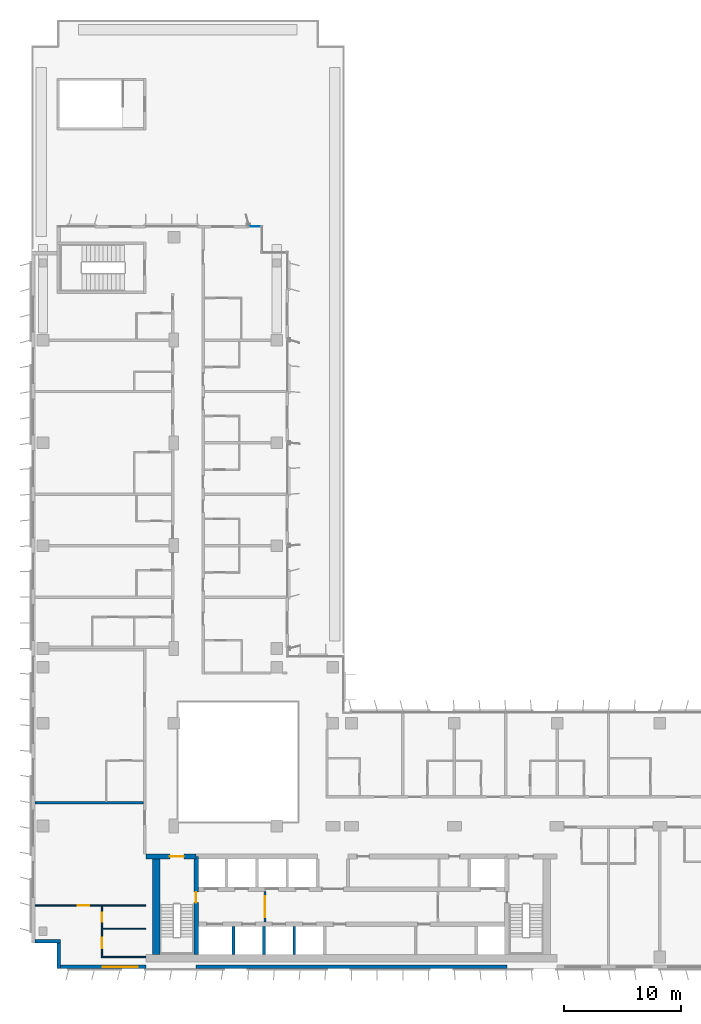
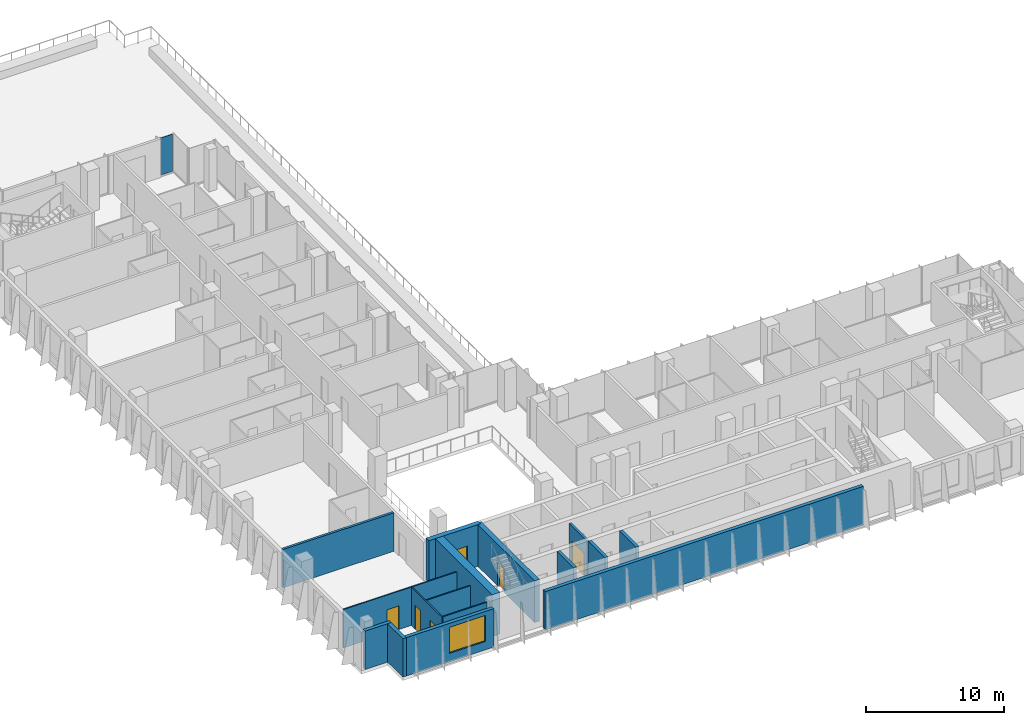
# One storey, part 11 of 22: 16 walls, 6 doors, 1 plate, 1 window, 7 openings, 1 element without a shape of its own.
"""IFC4 building model written with IfcOpenShell, lengths in metres."""

from ifc_helpers import new_model, si_unit, direction, frame, frame_2d, origin, origin_2d, place, context, subcontext, project, spatial, rectangle, extrude, source, transform, mapped, material, layer, layer_set, type_object, element, fill, aggregate, save


model = new_model("IFC4")

# Units and contexts
model_context = context("Model", 3, precision=1e-05, world=origin(), true_north=direction((0.0, 1.0)))
body_context = subcontext(model_context, "Body", "Model", "MODEL_VIEW")
ifc_project = project(units=[si_unit("LENGTHUNIT", "METRE"), si_unit("AREAUNIT", "SQUARE_METRE"), si_unit("VOLUMEUNIT", "CUBIC_METRE"), si_unit("PLANEANGLEUNIT", "RADIAN"), si_unit("MASSUNIT", "GRAM", prefix="KILO")], contexts=[model_context])

# Site, building, storey
site_placement = place(None, origin())
site = spatial("IfcSite", under=ifc_project, at=site_placement, CompositionType="ELEMENT")
building_placement = place(site_placement, origin())
building = spatial("IfcBuilding", under=site, at=building_placement, Name="Kemantara Hotel Tower", CompositionType="ELEMENT")
storey_placement = place(building_placement, frame((0.0, 0.0, 153.10009765625)))
storey = spatial("IfcBuildingStorey", under=building, at=storey_placement, Name="L37", CompositionType="ELEMENT", Elevation=153.10009765625)

# Curtain wall, plate
ifc_material_1 = material(Name="Toughened tinted glass 32 mm", Category="glass")
curtain_wall_type = type_object("IfcCurtainWallType", Name="TERRACE GLAZING WALL", PredefinedType="USERDEFINED", material=ifc_material_1)
curtain_wall_placement = place(storey_placement, origin())
curtain_wall = element("IfcCurtainWall", 1, at=curtain_wall_placement, inside=storey, type_object=curtain_wall_type, Name="CW6 L37 T3-R02-1", ObjectType="TERRACE GLAZING WALL", PredefinedType="USERDEFINED")
ifc_layer_1 = layer(ifc_material_1, 0.031982421875)
ifc_layer_set_1 = layer_set([ifc_layer_1], Name="Toughened tinted glass 32 mm")
plate_type = type_object("IfcPlateType", Name="TERRACE GLAZING WALL PANEL", PredefinedType="CURTAIN_PANEL", material=ifc_layer_set_1)
shared_shape = source(origin(), body_context, "Body", "SweptSolid", [
    extrude(rectangle(XDim=0.9599609375, YDim=0.031982421875, at=origin_2d()), origin(), (0.0, 0.0, 1.0), 3.280029296875),
])
plate_placement = place(storey_placement, frame((19.110107421875, 63.52490234375, 0.1201171875), z_axis=(0.0, 0.0, 1.0), x_axis=(-1.0, 0.0, 0.0)))
plate = element("IfcPlate", 2, at=plate_placement, type_object=plate_type, Name="CW6 glass panel T3-R02-1.1", PredefinedType="CURTAIN_PANEL", context=body_context, shape_type="MappedRepresentation", body=[
    mapped(shared_shape, transform((0.0, 0.0, 0.0))),
])
aggregate(curtain_wall, [plate])

# Walls
ifc_material_2 = material(Name="Bronze anodised aluminium cladding on insulated steel stud wall", Category="steel")
ifc_layer_2 = layer(ifc_material_2, 0.300048828125)
ifc_layer_set_2 = layer_set([ifc_layer_2], Name="Bronze anodised aluminium cladding on insulated steel stud wall")
wall_type_1 = type_object("IfcWallType", Name="BRONZE METAL-CLAD EXTERNAL WALL 300", PredefinedType="STANDARD", material=ifc_layer_set_2)
for number, where, z_axis, x_axis, name in (
    (3, (0.300048828125, 2.35009765625, 0.0), (0.0, 0.0, 1.0), (1.0, 0.0, 0.0), "EXTERNAL WALL L37 T3-R06"),
    (4, (2.35009765625, 2.199951171875, 0.0), (0.0, 0.0, 1.0), (0.0, -1.0, 0.0), "EXTERNAL WALL L37 T3-R07"),
):
    element("IfcWall", number, at=place(storey_placement, frame(where, z_axis=z_axis, x_axis=x_axis)), inside=storey, type_object=wall_type_1, Name=name, PredefinedType="STANDARD", context=body_context, shape_type="SweptSolid", body=[
        extrude(rectangle(XDim=2.199951171875, YDim=0.300048828125, at=frame_2d((1.10009765625, 0.0))), origin(), (0.0, 0.0, 1.0), 3.39990234375),
    ])

# Wall, opening, window
wall_1_placement = place(storey_placement, frame((2.5, 0.14990234375, 0.0), z_axis=(0.0, 0.0, 1.0), x_axis=(1.0, 0.0, 0.0)))
wall_1 = element("IfcWall", 5, at=wall_1_placement, inside=storey, type_object=wall_type_1, Name="EXTERNAL WALL L37 T3-R08", PredefinedType="STANDARD", context=body_context, shape_type="SweptSolid", body=[
    extrude(rectangle(XDim=7.300048828125, YDim=0.300048828125, at=frame_2d((3.64990234375, 0.0))), origin(), (0.0, 0.0, 1.0), 3.39990234375),
])
opening_1_placement = place(wall_1_placement, frame((3.60009765625, 0.0, 0.75)))
opening_1 = element("IfcOpeningElement", 6, at=opening_1_placement, cuts=wall_1, Name="Opening W1", PredefinedType="OPENING", context=body_context, shape_type="SweptSolid", body=[
    extrude(rectangle(XDim=3.0, YDim=2.300048828125, at=frame_2d((1.5, 1.14990234375))), frame((0.0, 0.159912109375, 0.0), z_axis=(0.0, -1.0, 0.0), x_axis=(1.0, 0.0, 0.0)), (0.0, 0.0, 1.0), 0.320068359375),
])
ifc_material_3 = material(Name="Low-E tinted double insulated glass in bronze anodised aluminium frame", Category="aluminium")
window_type = type_object("IfcWindowType", Name="CHICAGO WINDOW, TRIPLE PANEL 3000x2300", PartitioningType="TRIPLE_PANEL_VERTICAL", PredefinedType="WINDOW", material=ifc_material_3)
window_placement = place(opening_1_placement, origin())
window = element("IfcWindow", 7, at=window_placement, inside=storey, type_object=window_type, Name="CHICAGO WINDOW L37 T3-R08-54", OverallHeight=2.300048828125, OverallWidth=3.0, PartitioningType="SINGLE_PANEL", PredefinedType="WINDOW", context=body_context, shape_type="SweptSolid", body=[
    extrude(rectangle(XDim=3.0, YDim=2.300048828125, at=frame_2d((1.5, 1.14990234375))), frame((0.0, 0.030029296875, 0.0), z_axis=(0.0, -1.0, 0.0), x_axis=(1.0, 0.0, 0.0)), (0.0, 0.0, 1.0), 0.06005859375),
])
fill(opening_1, window)

# Walls
wall_2_placement = place(storey_placement, frame((14.10009765625, 0.14990234375, 0.0), z_axis=(0.0, 0.0, 1.0), x_axis=(1.0, 0.0, 0.0)))
element("IfcWall", 8, at=wall_2_placement, inside=storey, type_object=wall_type_1, Name="EXTERNAL WALL L37 T3-R08-2", PredefinedType="STANDARD", context=body_context, shape_type="SweptSolid", body=[
    extrude(rectangle(XDim=26.599853515625, YDim=0.300048828125, at=frame_2d((13.2998046875, 0.0))), origin(), (0.0, 0.0, 1.0), 3.39990234375),
])
ifc_material_4 = material(Name="Concrete fc 60 MPa", Category="concrete")
ifc_layer_3 = layer(ifc_material_4, 0.25)
ifc_layer_set_3 = layer_set([ifc_layer_3], Name="Concrete fc 60 MPa")
wall_type_2 = type_object("IfcWallType", Name="CORE WALL 250 FC60", PredefinedType="SHEAR", material=ifc_layer_set_3)
for number, where, z_axis, x_axis, name in (
    (9, (17.300048828125, 1.199951171875, 0.0), (0.0, 0.0, 1.0), (0.0, 1.0, 0.0), "CORE WALL CW-DS17.3"),
    (10, (19.89990234375, 1.199951171875, 0.0), (0.0, 0.0, 1.0), (0.0, 1.0, 0.0), "CORE WALL CW-DS19.9"),
    (11, (22.5, 1.199951171875, 0.0), (0.0, 0.0, 1.0), (0.0, 1.0, 0.0), "CORE WALL CW-DS22.5"),
):
    element("IfcWall", number, at=place(storey_placement, frame(where, z_axis=z_axis, x_axis=x_axis)), inside=storey, type_object=wall_type_2, Name=name, PredefinedType="SHEAR", context=body_context, shape_type="SweptSolid", body=[
        extrude(rectangle(XDim=2.400146484375, YDim=0.25, at=frame_2d((1.2001953125, 0.0))), origin(), (0.0, 0.0, 1.0), 3.699951171875),
    ])

# Wall, opening, door
ifc_layer_4 = layer(ifc_material_4, 0.39990234375)
ifc_layer_set_4 = layer_set([ifc_layer_4], Name="Concrete fc 60 MPa")
wall_type_3 = type_object("IfcWallType", Name="CORE WALL 400 FC60", PredefinedType="SHEAR", material=ifc_layer_set_4)
wall_3_placement = place(storey_placement, frame((9.800048828125, 9.60009765625, 0.0), z_axis=(0.0, 0.0, 1.0), x_axis=(1.0, 0.0, 0.0)))
wall_3 = element("IfcWall", 12, at=wall_3_placement, inside=storey, type_object=wall_type_3, Name="CORE WALL CW-N1", PredefinedType="SHEAR", context=body_context, shape_type="SweptSolid", body=[
    extrude(rectangle(XDim=4.300048828125, YDim=0.39990234375, at=frame_2d((2.14990234375, 0.0))), origin(), (0.0, 0.0, 1.0), 3.699951171875),
])
opening_2_placement = place(wall_3_placement, frame((2.050048828125, 0.0, 0.0)))
opening_2 = element("IfcOpeningElement", 13, at=opening_2_placement, cuts=wall_3, Name="Opening C24-ST1-C", PredefinedType="OPENING", context=body_context, shape_type="SweptSolid", body=[
    extrude(rectangle(XDim=1.199951171875, YDim=2.10009765625, at=frame_2d((0.60009765625, 1.050048828125))), frame((0.0, 0.2099609375, 0.0), z_axis=(0.0, -1.0, 0.0), x_axis=(1.0, 0.0, 0.0)), (0.0, 0.0, 1.0), 0.419921875),
])
ifc_material_5 = material(Name="Steel fire door", Category="steel")
door_type_1 = type_object("IfcDoorType", Name="Fire door FD90 1200 x 2100", OperationType="NOTDEFINED", PredefinedType="DOOR", material=ifc_material_5)
door_1_placement = place(opening_2_placement, frame((1.199951171875, 0.0, 0.0), z_axis=(0.0, 0.0, 1.0), x_axis=(-1.0, 0.0, 0.0)))
door_1 = element("IfcDoor", 14, at=door_1_placement, inside=storey, type_object=door_type_1, Name="Stair ST1 door to corridor", OperationType="SINGLE_SWING_LEFT", OverallHeight=2.10009765625, OverallWidth=1.199951171875, PredefinedType="DOOR", context=body_context, shape_type="SweptSolid", body=[
    extrude(rectangle(XDim=1.199951171875, YDim=2.10009765625, at=frame_2d((0.60009765625, 1.050048828125))), frame((0.0, 0.02490234375, 0.0), z_axis=(0.0, -1.0, 0.0), x_axis=(1.0, 0.0, 0.0)), (0.0, 0.0, 1.0), 0.050048828125),
])
fill(opening_2, door_1)

wall_4_placement = place(storey_placement, frame((14.10009765625, 1.199951171875, 0.0), z_axis=(0.0, 0.0, 1.0), x_axis=(0.0, 1.0, 0.0)))
wall_4 = element("IfcWall", 15, at=wall_4_placement, inside=storey, type_object=wall_type_3, Name="CORE WALL CW-ST1E", PredefinedType="SHEAR", context=body_context, shape_type="SweptSolid", body=[
    extrude(rectangle(XDim=8.400146484375, YDim=0.39990234375, at=frame_2d((4.2001953125, 0.0))), origin(), (0.0, 0.0, 1.0), 3.699951171875),
])
opening_3_placement = place(wall_4_placement, frame((4.449951171875, 0.0, 0.0)))
opening_3 = element("IfcOpeningElement", 16, at=opening_3_placement, cuts=wall_4, Name="Opening C24-ST1-F", PredefinedType="OPENING", context=body_context, shape_type="SweptSolid", body=[
    extrude(rectangle(XDim=0.89990234375, YDim=2.10009765625, at=frame_2d((0.449951171875, 1.050048828125))), frame((0.0, 0.2099609375, 0.0), z_axis=(0.0, -1.0, 0.0), x_axis=(1.0, 0.0, 0.0)), (0.0, 0.0, 1.0), 0.419921875),
])
door_type_2 = type_object("IfcDoorType", Name="Fire door FD90 900 x 2100", OperationType="NOTDEFINED", PredefinedType="DOOR", material=ifc_material_5)
door_2_placement = place(opening_3_placement, origin())
door_2 = element("IfcDoor", 17, at=door_2_placement, inside=storey, type_object=door_type_2, Name="Stair ST1 door to firefighting lobby", OperationType="SINGLE_SWING_RIGHT", OverallHeight=2.10009765625, OverallWidth=0.89990234375, PredefinedType="DOOR", context=body_context, shape_type="SweptSolid", body=[
    extrude(rectangle(XDim=0.89990234375, YDim=2.10009765625, at=frame_2d((0.449951171875, 1.050048828125))), frame((0.0, 0.02490234375, 0.0), z_axis=(0.0, -1.0, 0.0), x_axis=(1.0, 0.0, 0.0)), (0.0, 0.0, 1.0), 0.050048828125),
])
fill(opening_3, door_2)

# Walls
ifc_layer_5 = layer(ifc_material_4, 0.64990234375)
ifc_layer_set_5 = layer_set([ifc_layer_5], Name="Concrete fc 60 MPa")
wall_type_4 = type_object("IfcWallType", Name="CORE WALL 650 FC60", PredefinedType="SHEAR", material=ifc_layer_set_5)
wall_5_placement = place(storey_placement, frame((10.675048828125, 1.199951171875, 0.0), z_axis=(0.0, 0.0, 1.0), x_axis=(0.0, 1.0, 0.0)))
element("IfcWall", 18, at=wall_5_placement, inside=storey, type_object=wall_type_4, Name="CORE WALL CW-W", PredefinedType="SHEAR", context=body_context, shape_type="SweptSolid", body=[
    extrude(rectangle(XDim=8.60009765625, YDim=0.64990234375, at=frame_2d((4.300048828125, 0.0))), origin(), (0.0, 0.0, 1.0), 3.699951171875),
])
ifc_material_6 = material(Name="Gypsum board partition, steel studs and mineral wool, 200 mm", Category="steel")
ifc_layer_6 = layer(ifc_material_6, 0.199951171875)
ifc_layer_set_6 = layer_set([ifc_layer_6], Name="Gypsum board partition, steel studs and mineral wool, 200 mm")
wall_type_5 = type_object("IfcWallType", Name="GUEST ROOM PARTY WALL 200", PredefinedType="PARTITIONING", material=ifc_layer_set_6)
wall_6_placement = place(storey_placement, frame((0.31005859375, 14.199951171875, 0.0), z_axis=(0.0, 0.0, 1.0), x_axis=(1.0, 0.0, 0.0)))
element("IfcWall", 19, at=wall_6_placement, inside=storey, type_object=wall_type_5, Name="GUEST ROOM PARTY WALL 200 015", PredefinedType="PARTITIONING", context=body_context, shape_type="SweptSolid", body=[
    extrude(rectangle(XDim=9.2900390625, YDim=0.199951171875, at=frame_2d((4.64501953125, 0.0))), origin(), (0.0, 0.0, 1.0), 3.39990234375),
])

# Wall, opening, door
ifc_material_7 = material(Name="Gypsum board shaft wall")
ifc_layer_7 = layer(ifc_material_7, 0.199951171875)
ifc_layer_set_7 = layer_set([ifc_layer_7], Name="Gypsum board shaft wall")
wall_type_6 = type_object("IfcWallType", Name="Gypsum board shaft wall 200 mm", PredefinedType="PARTITIONING", material=ifc_layer_set_7)
wall_7_placement = place(storey_placement, frame((20.0, 4.0, 0.0), z_axis=(0.0, 0.0, 1.0), x_axis=(0.0, 1.0, 0.0)))
wall_7 = element("IfcWall", 20, at=wall_7_placement, inside=storey, type_object=wall_type_6, Name="Firefighting lobby partition west", PredefinedType="PARTITIONING", context=body_context, shape_type="SweptSolid", body=[
    extrude(rectangle(XDim=2.60009765625, YDim=0.199951171875, at=frame_2d((1.300048828125, 0.0))), origin(), (0.0, 0.0, 1.0), 3.39990234375),
])
opening_4_placement = place(wall_7_placement, frame((0.39990234375, 0.0, 0.0)))
opening_4 = element("IfcOpeningElement", 21, at=opening_4_placement, cuts=wall_7, Name="Opening C24-FFW", PredefinedType="OPENING", context=body_context, shape_type="SweptSolid", body=[
    extrude(rectangle(XDim=1.800048828125, YDim=2.10009765625, at=frame_2d((0.89990234375, 1.050048828125))), frame((0.0, 0.10986328125, 0.0), z_axis=(0.0, -1.0, 0.0), x_axis=(1.0, 0.0, 0.0)), (0.0, 0.0, 1.0), 0.219970703125),
])
door_type_3 = type_object("IfcDoorType", Name="Fire door pair FD60 1800 x 2100", OperationType="DOUBLE_DOOR_SINGLE_SWING", PredefinedType="DOOR", material=ifc_material_5)
door_3_placement = place(opening_4_placement, origin())
door_3 = element("IfcDoor", 22, at=door_3_placement, inside=storey, type_object=door_type_3, Name="Firefighting lobby door west", OperationType="DOUBLE_DOOR_SINGLE_SWING", OverallHeight=2.10009765625, OverallWidth=1.800048828125, PredefinedType="DOOR", context=body_context, shape_type="SweptSolid", body=[
    extrude(rectangle(XDim=1.800048828125, YDim=2.10009765625, at=frame_2d((0.89990234375, 1.050048828125))), frame((0.0, 0.02490234375, 0.0), z_axis=(0.0, -1.0, 0.0), x_axis=(1.0, 0.0, 0.0)), (0.0, 0.0, 1.0), 0.050048828125),
])
fill(opening_4, door_3)

# Wall, openings, doors
ifc_material_8 = material(Name="Gypsum board partition on steel studs, 100 mm", Category="steel")
ifc_layer_8 = layer(ifc_material_8, 0.10009765625)
ifc_layer_set_8 = layer_set([ifc_layer_8], Name="Gypsum board partition on steel studs, 100 mm")
wall_type_7 = type_object("IfcWallType", Name="ROOM PARTITION 100", PredefinedType="PARTITIONING", material=ifc_layer_set_8)
wall_8_placement = place(storey_placement, frame((6.050048828125, 5.35009765625, 0.0), z_axis=(0.0, 0.0, 1.0), x_axis=(0.0, -1.0, 0.0)))
wall_8 = element("IfcWall", 23, at=wall_8_placement, inside=storey, type_object=wall_type_7, Name="ROOM PARTITION 100 056", PredefinedType="PARTITIONING", context=body_context, shape_type="SweptSolid", body=[
    extrude(rectangle(XDim=4.400146484375, YDim=0.10009765625, at=frame_2d((2.2001953125, 0.0))), origin(), (0.0, 0.0, 1.0), 3.39990234375),
])
opening_5_placement = place(wall_8_placement, frame((2.699951171875, 0.0, 0.0)))
opening_5 = element("IfcOpeningElement", 24, at=opening_5_placement, cuts=wall_8, Name="Opening F17-021", PredefinedType="OPENING", context=body_context, shape_type="SweptSolid", body=[
    extrude(rectangle(XDim=0.89990234375, YDim=2.10009765625, at=frame_2d((0.449951171875, 1.050048828125))), frame((0.0, 0.06005859375, 0.0), z_axis=(0.0, -1.0, 0.0), x_axis=(1.0, 0.0, 0.0)), (0.0, 0.0, 1.0), 0.1201171875),
])
opening_6_placement = place(wall_8_placement, frame((0.550048828125, 0.0, 0.0)))
opening_6 = element("IfcOpeningElement", 25, at=opening_6_placement, cuts=wall_8, Name="Opening F17-022", PredefinedType="OPENING", context=body_context, shape_type="SweptSolid", body=[
    extrude(rectangle(XDim=0.800048828125, YDim=2.10009765625, at=frame_2d((0.39990234375, 1.050048828125))), frame((0.0, 0.06005859375, 0.0), z_axis=(0.0, -1.0, 0.0), x_axis=(1.0, 0.0, 0.0)), (0.0, 0.0, 1.0), 0.1201171875),
])
ifc_material_9 = material(Name="Hardwood veneer door leaf with steel frame", Category="steel")
door_type_4 = type_object("IfcDoorType", Name="BATHROOM DOOR 900 X 2100", OperationType="NOTDEFINED", PredefinedType="DOOR", material=ifc_material_9)
door_4_placement = place(opening_5_placement, origin())
door_4 = element("IfcDoor", 26, at=door_4_placement, inside=storey, type_object=door_type_4, Name="BATHROOM DOOR F17-021", OperationType="SINGLE_SWING_LEFT", OverallHeight=2.10009765625, OverallWidth=0.89990234375, PredefinedType="DOOR", context=body_context, shape_type="SweptSolid", body=[
    extrude(rectangle(XDim=0.89990234375, YDim=2.10009765625, at=frame_2d((0.449951171875, 1.050048828125))), frame((0.0, 0.02490234375, 0.0), z_axis=(0.0, -1.0, 0.0), x_axis=(1.0, 0.0, 0.0)), (0.0, 0.0, 1.0), 0.050048828125),
])
fill(opening_5, door_4)
door_type_5 = type_object("IfcDoorType", Name="WARDROBE DOOR 800 X 2100", OperationType="NOTDEFINED", PredefinedType="DOOR", material=ifc_material_9)
door_5_placement = place(opening_6_placement, origin())
door_5 = element("IfcDoor", 27, at=door_5_placement, inside=storey, type_object=door_type_5, Name="WARDROBE DOOR F17-022", OperationType="SINGLE_SWING_LEFT", OverallHeight=2.10009765625, OverallWidth=0.800048828125, PredefinedType="DOOR", context=body_context, shape_type="SweptSolid", body=[
    extrude(rectangle(XDim=0.800048828125, YDim=2.10009765625, at=frame_2d((0.39990234375, 1.050048828125))), frame((0.0, 0.02490234375, 0.0), z_axis=(0.0, -1.0, 0.0), x_axis=(1.0, 0.0, 0.0)), (0.0, 0.0, 1.0), 0.050048828125),
])
fill(opening_6, door_5)

# Wall, opening, door
wall_9_placement = place(storey_placement, frame((9.7998046875, 5.39990234375, 0.0), z_axis=(0.0, 0.0, 1.0), x_axis=(-1.0, 0.0, 0.0)))
wall_9 = element("IfcWall", 28, at=wall_9_placement, inside=storey, type_object=wall_type_7, Name="ROOM PARTITION 100 057", PredefinedType="PARTITIONING", context=body_context, shape_type="SweptSolid", body=[
    extrude(rectangle(XDim=9.48974609375, YDim=0.10009765625, at=frame_2d((4.744873046875, 0.0))), origin(), (0.0, 0.0, 1.0), 3.39990234375),
])
opening_7_placement = place(wall_9_placement, frame((4.849853515625, 0.0, 0.0)))
opening_7 = element("IfcOpeningElement", 29, at=opening_7_placement, cuts=wall_9, Name="Opening F17-020", PredefinedType="OPENING", context=body_context, shape_type="SweptSolid", body=[
    extrude(rectangle(XDim=1.0, YDim=2.10009765625, at=frame_2d((0.5, 1.050048828125))), frame((0.0, 0.06005859375, 0.0), z_axis=(0.0, -1.0, 0.0), x_axis=(1.0, 0.0, 0.0)), (0.0, 0.0, 1.0), 0.1201171875),
])
door_type_6 = type_object("IfcDoorType", Name="INTERNAL DOOR 1000 X 2100", OperationType="NOTDEFINED", PredefinedType="DOOR", material=ifc_material_9)
door_6_placement = place(opening_7_placement, origin())
door_6 = element("IfcDoor", 30, at=door_6_placement, inside=storey, type_object=door_type_6, Name="INTERNAL DOOR F17-020", OperationType="SINGLE_SWING_LEFT", OverallHeight=2.10009765625, OverallWidth=1.0, PredefinedType="DOOR", context=body_context, shape_type="SweptSolid", body=[
    extrude(rectangle(XDim=1.0, YDim=2.10009765625, at=frame_2d((0.5, 1.050048828125))), frame((0.0, 0.02490234375, 0.0), z_axis=(0.0, -1.0, 0.0), x_axis=(1.0, 0.0, 0.0)), (0.0, 0.0, 1.0), 0.050048828125),
])
fill(opening_7, door_6)

# Walls
for number, where, z_axis, x_axis, name in (
    (31, (6.10009765625, 1.0, 0.0), (0.0, 0.0, 1.0), (1.0, 0.0, 0.0), "ROOM PARTITION 100 058"),
    (32, (6.10009765625, 3.39990234375, 0.0), (0.0, 0.0, 1.0), (1.0, 0.0, 0.0), "ROOM PARTITION 100 059"),
):
    element("IfcWall", number, at=place(storey_placement, frame(where, z_axis=z_axis, x_axis=x_axis)), inside=storey, type_object=wall_type_7, Name=name, PredefinedType="PARTITIONING", context=body_context, shape_type="SweptSolid", body=[
        extrude(rectangle(XDim=3.69970703125, YDim=0.10009765625, at=frame_2d((1.849853515625, 0.0))), origin(), (0.0, 0.0, 1.0), 3.39990234375),
    ])

save(model, "model.ifc")
